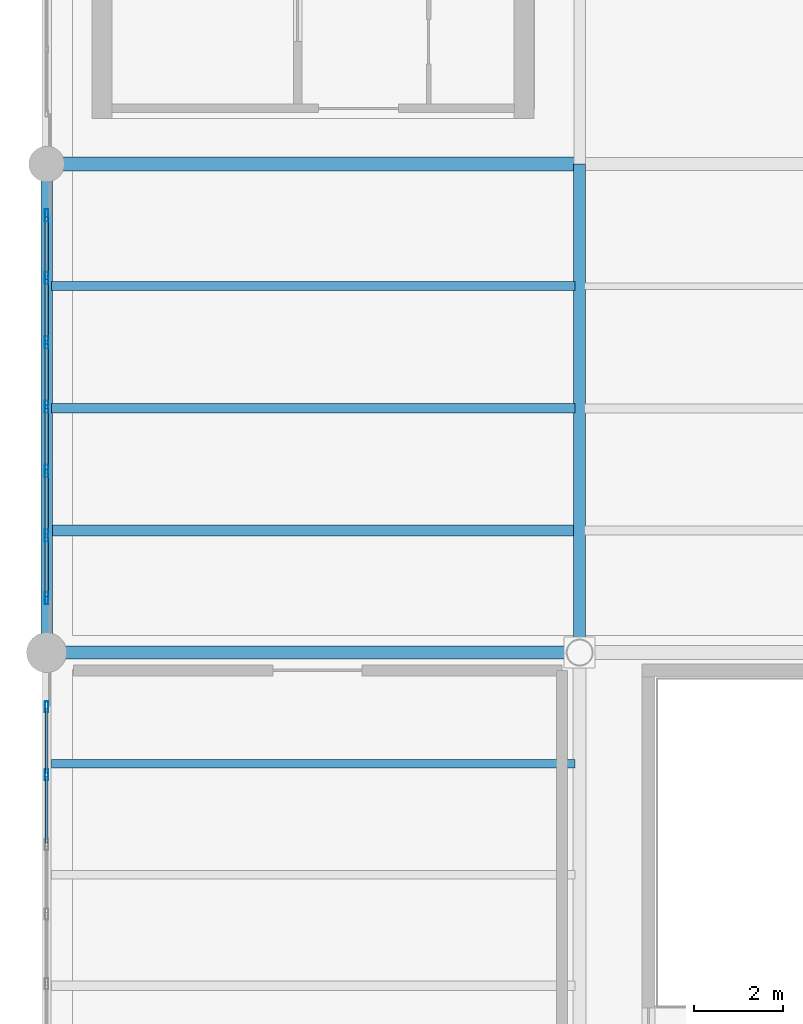
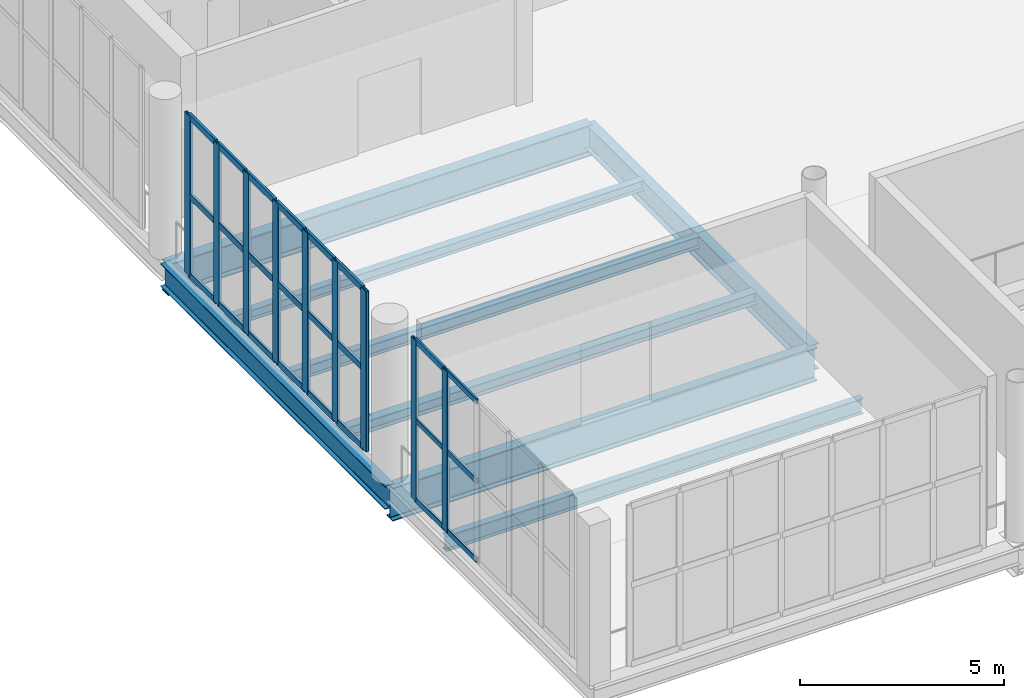
# One storey, part 10 of 49: 33 members, 8 beams, 2 elements without a shape of their own.
"""IFC4 building model written with IfcOpenShell, lengths in metres."""

import ifcopenshell
import ifcopenshell.guid

model = None  # the IFC model being written
_history = None  # IfcOwnerHistory: only IFC2X3 demands one
_inside = {}  # id of a spatial element -> (the spatial element, [elements in it])
_under = {}  # id of a project, library or spatial element -> (it, [spatial elements below it])
_declared = {}  # id of a project -> (the project, [libraries it declares])
_typed = {}  # id of a type object -> (the type object, [elements of that type])
_made_of = {}  # id of a material, layer set ... -> (it, [elements and type objects made of it])


def new_model(schema):
    """Start an empty IFC model of exactly this schema.

    Asked for "IFC4X3", IfcOpenShell would pick the latest addendum, in which some entities
    have other attributes; the version numbers below select the first issue.
    IFC2X3 requires an IfcOwnerHistory on every rooted entity: one is made here for all.
    """
    global model, _history
    if schema == "IFC4X3":
        model = ifcopenshell.file(schema_version=(4, 3, 0, 0))
    else:
        model = ifcopenshell.file(schema=schema)
    _inside.clear()
    _under.clear()
    _declared.clear()
    _typed.clear()
    _made_of.clear()
    _history = None
    if model.schema == "IFC2X3":
        org = make("IfcOrganization", Name="unknown")
        user = make(
            "IfcPersonAndOrganization",
            ThePerson=make("IfcPerson", FamilyName="unknown"),
            TheOrganization=org,
        )
        app = make(
            "IfcApplication",
            ApplicationDeveloper=org,
            Version="unknown",
            ApplicationFullName="unknown",
            ApplicationIdentifier="unknown",
        )
        _history = make(
            "IfcOwnerHistory",
            OwningUser=user,
            OwningApplication=app,
            ChangeAction="ADDED",
            CreationDate=0,
        )
    return model


def make(cls, **values):
    """One entity of the class cls with the attributes given. An attribute that is None is left unset."""
    return model.create_entity(
        cls, **{name: value for name, value in values.items() if value is not None}
    )


def rooted(cls, **values):
    """An entity with a GlobalId (a new one), such as an element, a storey or a relation."""
    return make(cls, GlobalId=ifcopenshell.guid.new(), OwnerHistory=_history, **values)


def si_unit(unit_type, name, prefix=None):
    """IfcSIUnit, for example si_unit("LENGTHUNIT", "METRE", prefix="MILLI")."""
    return make("IfcSIUnit", UnitType=unit_type, Prefix=prefix, Name=name)


def assignment(units):
    """IfcUnitAssignment: the units of a project."""
    return None if units is None else make("IfcUnitAssignment", Units=units)


def point(xyz):
    """IfcCartesianPoint."""
    return None if xyz is None else make("IfcCartesianPoint", Coordinates=xyz)


def direction(xyz):
    """IfcDirection."""
    return None if xyz is None else make("IfcDirection", DirectionRatios=xyz)


def frame(location, z_axis=None, x_axis=None):
    """IfcAxis2Placement3D, a coordinate frame: its origin and axes. An axis left out is left unset."""
    return make(
        "IfcAxis2Placement3D",
        Location=point(location),
        Axis=direction(z_axis),
        RefDirection=direction(x_axis),
    )


def frame_2d(location, x_axis=None):
    """IfcAxis2Placement2D, a coordinate frame in the plane: its origin and x axis."""
    return make(
        "IfcAxis2Placement2D", Location=point(location), RefDirection=direction(x_axis)
    )


def origin():
    """The frame at (0, 0, 0) with its axes left unset."""
    return frame((0.0, 0.0, 0.0))


def origin_2d():
    """The frame at (0, 0) in the plane with its x axis left unset."""
    return frame_2d((0.0, 0.0))


def place(relative_to, where):
    """IfcLocalPlacement: puts the frame where relative to a parent placement (None: the world)."""
    return make(
        "IfcLocalPlacement", PlacementRelTo=relative_to, RelativePlacement=where
    )


def context(
    kind, dimensions, precision=None, world=None, true_north=None, identifier=None
):
    """IfcGeometricRepresentationContext, for example the 3D "Model" context."""
    return make(
        "IfcGeometricRepresentationContext",
        ContextIdentifier=identifier,
        ContextType=kind,
        CoordinateSpaceDimension=dimensions,
        Precision=precision,
        WorldCoordinateSystem=world,
        TrueNorth=true_north,
    )


def subcontext(parent, identifier, kind, view, scale=None):
    """IfcGeometricRepresentationSubContext, for example "Body" below "Model"."""
    return make(
        "IfcGeometricRepresentationSubContext",
        ContextIdentifier=identifier,
        ContextType=kind,
        ParentContext=parent,
        TargetScale=scale,
        TargetView=view,
    )


def project(units=None, contexts=None):
    """IfcProject with its units and contexts."""
    return rooted(
        "IfcProject",
        Name="project",
        RepresentationContexts=contexts,
        UnitsInContext=assignment(units),
    )


def spatial(cls, under=None, at=None, **own):
    """A site, building, storey or space (cls), placed at a placement, below another one or the project."""
    s = rooted(cls, ObjectPlacement=at, **own)
    if under is not None:
        _under.setdefault(under.id(), (under, []))[1].append(s)
    return s


def profile(cls, at=None, kind="AREA", **sizes):
    """A parametric profile (cls). Its sizes go by their IFC names, for example OverallWidth=200.0."""
    return make(cls, ProfileType=kind, Position=at, **sizes)


def hollow_rectangle(**sizes):
    """IfcRectangleHollowProfileDef."""
    return profile("IfcRectangleHollowProfileDef", **sizes)


def i_section(**sizes):
    """IfcIShapeProfileDef."""
    return profile("IfcIShapeProfileDef", **sizes)


def extrude(swept, where, along, depth):
    """IfcExtrudedAreaSolid: the profile swept, set in the frame where, extruded along a direction by depth."""
    return make(
        "IfcExtrudedAreaSolid",
        SweptArea=swept,
        Position=where,
        ExtrudedDirection=direction(along),
        Depth=depth,
    )


def shape(context_of_items, identifier, shape_type, items):
    """IfcShapeRepresentation: the items that make up one representation, for example the "Body"."""
    return make(
        "IfcShapeRepresentation",
        ContextOfItems=context_of_items,
        RepresentationIdentifier=identifier,
        RepresentationType=shape_type,
        Items=items,
    )


def material(Name=None, Category=None):
    """IfcMaterial."""
    return make("IfcMaterial", Name=Name, Category=Category)


def layer(
    of_material, thickness, ventilated=None, Name=None, Category=None, Priority=None
):
    """IfcMaterialLayer: one layer of a wall or slab, of a material (None: an air gap)."""
    return make(
        "IfcMaterialLayer",
        Material=of_material,
        LayerThickness=thickness,
        IsVentilated=ventilated,
        Name=Name,
        Category=Category,
        Priority=Priority,
    )


def layer_set(layers, Name=None):
    """IfcMaterialLayerSet."""
    return make("IfcMaterialLayerSet", MaterialLayers=layers, LayerSetName=Name)


def material_profile(
    of_material, cross_section, Name=None, Category=None, Priority=None
):
    """IfcMaterialProfile: a cross section and its material."""
    return make(
        "IfcMaterialProfile",
        Name=Name,
        Material=of_material,
        Profile=cross_section,
        Priority=Priority,
        Category=Category,
    )


def profile_set(profiles, Name=None, composite=None):
    """IfcMaterialProfileSet."""
    return make(
        "IfcMaterialProfileSet",
        Name=Name,
        MaterialProfiles=profiles,
        CompositeProfile=composite,
    )


def made_of(thing, what):
    """Note that an element or type object is made of a material, layer set ...; save() writes the relation."""
    if what is not None:
        _made_of.setdefault(what.id(), (what, []))[1].append(thing)
    return thing


def type_object(cls, material=None, **own):
    """A type object (cls), such as IfcWallType, which elements share."""
    return made_of(rooted(cls, **own), material)


def element(
    cls,
    number,
    at=None,
    inside=None,
    cuts=None,
    type_object=None,
    material=None,
    context=None,
    identifier="Body",
    shape_type=None,
    held_by="IfcProductDefinitionShape",
    body=None,
    shapes=None,
    **own,
):
    """One element of the class cls, such as IfcWall. Its Tag is "e" and its number.

    at: its placement. inside: the storey or other place that contains it. cuts: it is an
    opening in that element (IfcRelVoidsElement). A single representation is given by context,
    identifier, shape_type and body (its items); several are given by shapes. held_by: the class
    of the entity that holds the representations. save() writes the other relations.
    """
    e = rooted(cls, Tag="e%d" % number, ObjectPlacement=at, **own)
    if body is not None:
        shapes = [shape(context, identifier, shape_type, body)]
    if shapes is not None:
        e.Representation = make(held_by, Representations=shapes)
    if inside is not None:
        _inside.setdefault(inside.id(), (inside, []))[1].append(e)
    if cuts is not None:
        rooted(
            "IfcRelVoidsElement", RelatingBuildingElement=cuts, RelatedOpeningElement=e
        )
    if type_object is not None:
        _typed.setdefault(type_object.id(), (type_object, []))[1].append(e)
    return made_of(e, material)


def aggregate(whole, parts):
    """IfcRelAggregates: a whole, such as a stair, and the parts it consists of."""
    return rooted("IfcRelAggregates", RelatingObject=whole, RelatedObjects=parts)


def save(model, path):
    """Write the relations noted so far, then the file.

    IfcRelAggregates (storeys below a building ...), IfcRelContainedInSpatialStructure (elements
    in a storey), IfcRelDefinesByType, IfcRelAssociatesMaterial and IfcRelDeclares: one each for
    every whole, place, type object, material and project.
    """
    for whole, parts in _under.values():
        aggregate(whole, parts)
    for where, things in _inside.values():
        rooted(
            "IfcRelContainedInSpatialStructure",
            RelatedElements=things,
            RelatingStructure=where,
        )
    for kind, things in _typed.values():
        rooted("IfcRelDefinesByType", RelatedObjects=things, RelatingType=kind)
    for what, things in _made_of.values():
        rooted("IfcRelAssociatesMaterial", RelatedObjects=things, RelatingMaterial=what)
    for by, libraries in _declared.values():
        rooted("IfcRelDeclares", RelatingContext=by, RelatedDefinitions=libraries)
    model.write(path)


model = new_model("IFC4")

# Units and contexts
model_context = context("Model", 3, precision=1e-05, world=origin(), true_north=direction((0.0, 1.0)))
body_context = subcontext(model_context, "Body", "Model", "MODEL_VIEW")
ifc_project = project(units=[si_unit("LENGTHUNIT", "METRE"), si_unit("AREAUNIT", "SQUARE_METRE"), si_unit("VOLUMEUNIT", "CUBIC_METRE"), si_unit("PLANEANGLEUNIT", "RADIAN"), si_unit("MASSUNIT", "GRAM", prefix="KILO")], contexts=[model_context])

# Site, building, storey
site_placement = place(None, origin())
site = spatial("IfcSite", under=ifc_project, at=site_placement, CompositionType="ELEMENT")
building_placement = place(site_placement, origin())
building = spatial("IfcBuilding", under=site, at=building_placement, Name="Brinegate Civic Arena", CompositionType="ELEMENT")
storey_placement = place(building_placement, frame((0.0, 0.0, 24.60009765625)))
storey = spatial("IfcBuildingStorey", under=building, at=storey_placement, Name="L05", CompositionType="ELEMENT", Elevation=24.60009765625)

# Curtain wall, members
ifc_material_1 = material(Name="Marine grade aluminium", Category="aluminium")
ifc_layer = layer(ifc_material_1, 0.199951171875, Name="Marine grade aluminium")
ifc_layer_set = layer_set([ifc_layer], Name="Marine grade aluminium")
curtain_wall_type = type_object("IfcCurtainWallType", Name="CW-BOWL-GLAZED-01", PredefinedType="USERDEFINED", material=ifc_layer_set)
curtain_wall_1_placement = place(storey_placement, origin())
curtain_wall_1 = element("IfcCurtainWall", 1, at=curtain_wall_1_placement, inside=storey, type_object=curtain_wall_type, Name="Curtain Wall CWA-154", ObjectType="GLAZED CURTAIN WALL", PredefinedType="USERDEFINED")
ifc_material_profile_1 = material_profile(ifc_material_1, hollow_rectangle(XDim=0.074951171875, YDim=0.25, WallThickness=0.006103515625, InnerFilletRadius=0.00390625, OuterFilletRadius=0.008056640625, at=origin_2d()), Name="MUL75X250")
ifc_profile_set_1 = profile_set([ifc_material_profile_1], Name="Marine grade aluminium")
member_type_1 = type_object("IfcMemberType", Name="CW-MULLION-75X250", PredefinedType="MULLION", material=ifc_profile_set_1)
member_1_placement = place(storey_placement, frame((48.0, 17.24609375, 0.0), z_axis=(0.0, 0.0, 1.0), x_axis=(-1.0, 0.0, 0.0)))
member_1 = element("IfcMember", 2, at=member_1_placement, type_object=member_type_1, Name="CWA-154 mullion 5", PredefinedType="MULLION", context=body_context, shape_type="SweptSolid", body=[
    extrude(hollow_rectangle(XDim=0.074951171875, YDim=0.25, WallThickness=0.006103515625, InnerFilletRadius=0.00390625, OuterFilletRadius=0.008056640625, at=origin_2d()), origin(), (0.0, 0.0, 1.0), 4.7998046875),
])
member_2_placement = place(storey_placement, frame((48.0, 18.776611328125, 0.0), z_axis=(0.0, 0.0, 1.0), x_axis=(-1.0, 0.0, 0.0)))
member_2 = element("IfcMember", 3, at=member_2_placement, type_object=member_type_1, Name="CWA-154 mullion 6", PredefinedType="MULLION", context=body_context, shape_type="SweptSolid", body=[
    extrude(hollow_rectangle(XDim=0.074951171875, YDim=0.25, WallThickness=0.006103515625, InnerFilletRadius=0.00390625, OuterFilletRadius=0.008056640625, at=origin_2d()), origin(), (0.0, 0.0, 1.0), 4.7998046875),
])

curtain_wall_2_placement = place(storey_placement, origin())
curtain_wall_2 = element("IfcCurtainWall", 4, at=curtain_wall_2_placement, inside=storey, type_object=curtain_wall_type, Name="Curtain Wall CWA-155", ObjectType="GLAZED CURTAIN WALL", PredefinedType="USERDEFINED")
ifc_material_profile_2 = material_profile(ifc_material_1, hollow_rectangle(XDim=0.080078125, YDim=0.280029296875, WallThickness=0.007080078125, InnerFilletRadius=0.0048828125, OuterFilletRadius=0.010009765625, at=origin_2d()), Name="MUL80X280")
ifc_profile_set_2 = profile_set([ifc_material_profile_2], Name="Marine grade aluminium")
member_type_2 = type_object("IfcMemberType", Name="CW-MULLION-80X280", PredefinedType="MULLION", material=ifc_profile_set_2)
member_3_placement = place(storey_placement, frame((48.0, 21.22607421875, 0.0), z_axis=(0.0, 0.0, 1.0), x_axis=(-1.0, 0.0, 0.0)))
member_3 = element("IfcMember", 5, at=member_3_placement, type_object=member_type_2, Name="CWA-155 mullion 1", PredefinedType="MULLION", context=body_context, shape_type="SweptSolid", body=[
    extrude(hollow_rectangle(XDim=0.080078125, YDim=0.280029296875, WallThickness=0.007080078125, InnerFilletRadius=0.0048828125, OuterFilletRadius=0.010009765625, at=origin_2d()), origin(), (0.0, 0.0, 1.0), 4.7998046875),
])
member_4_placement = place(storey_placement, frame((48.0, 22.6357421875, 0.0), z_axis=(0.0, 0.0, 1.0), x_axis=(-1.0, 0.0, 0.0)))
member_4 = element("IfcMember", 6, at=member_4_placement, type_object=member_type_2, Name="CWA-155 mullion 2", PredefinedType="MULLION", context=body_context, shape_type="SweptSolid", body=[
    extrude(hollow_rectangle(XDim=0.080078125, YDim=0.280029296875, WallThickness=0.007080078125, InnerFilletRadius=0.0048828125, OuterFilletRadius=0.010009765625, at=origin_2d()), origin(), (0.0, 0.0, 1.0), 4.7998046875),
])
member_5_placement = place(storey_placement, frame((48.0, 24.08544921875, 0.0), z_axis=(0.0, 0.0, 1.0), x_axis=(-1.0, 0.0, 0.0)))
member_5 = element("IfcMember", 7, at=member_5_placement, type_object=member_type_2, Name="CWA-155 mullion 3", PredefinedType="MULLION", context=body_context, shape_type="SweptSolid", body=[
    extrude(hollow_rectangle(XDim=0.080078125, YDim=0.280029296875, WallThickness=0.007080078125, InnerFilletRadius=0.0048828125, OuterFilletRadius=0.010009765625, at=origin_2d()), origin(), (0.0, 0.0, 1.0), 4.7998046875),
])
member_6_placement = place(storey_placement, frame((48.0, 25.534912109375, 0.0), z_axis=(0.0, 0.0, 1.0), x_axis=(-1.0, 0.0, 0.0)))
member_6 = element("IfcMember", 8, at=member_6_placement, type_object=member_type_2, Name="CWA-155 mullion 4", PredefinedType="MULLION", context=body_context, shape_type="SweptSolid", body=[
    extrude(hollow_rectangle(XDim=0.080078125, YDim=0.280029296875, WallThickness=0.007080078125, InnerFilletRadius=0.0048828125, OuterFilletRadius=0.010009765625, at=origin_2d()), origin(), (0.0, 0.0, 1.0), 4.7998046875),
])
member_7_placement = place(storey_placement, frame((48.0, 26.984619140625, 0.0), z_axis=(0.0, 0.0, 1.0), x_axis=(-1.0, 0.0, 0.0)))
member_7 = element("IfcMember", 9, at=member_7_placement, type_object=member_type_2, Name="CWA-155 mullion 5", PredefinedType="MULLION", context=body_context, shape_type="SweptSolid", body=[
    extrude(hollow_rectangle(XDim=0.080078125, YDim=0.280029296875, WallThickness=0.007080078125, InnerFilletRadius=0.0048828125, OuterFilletRadius=0.010009765625, at=origin_2d()), origin(), (0.0, 0.0, 1.0), 4.7998046875),
])
member_8_placement = place(storey_placement, frame((48.0, 28.434326171875, 0.0), z_axis=(0.0, 0.0, 1.0), x_axis=(-1.0, 0.0, 0.0)))
member_8 = element("IfcMember", 10, at=member_8_placement, type_object=member_type_2, Name="CWA-155 mullion 6", PredefinedType="MULLION", context=body_context, shape_type="SweptSolid", body=[
    extrude(hollow_rectangle(XDim=0.080078125, YDim=0.280029296875, WallThickness=0.007080078125, InnerFilletRadius=0.0048828125, OuterFilletRadius=0.010009765625, at=origin_2d()), origin(), (0.0, 0.0, 1.0), 4.7998046875),
])
member_9_placement = place(storey_placement, frame((48.0, 29.843994140625, 0.0), z_axis=(0.0, 0.0, 1.0), x_axis=(-1.0, 0.0, 0.0)))
member_9 = element("IfcMember", 11, at=member_9_placement, type_object=member_type_2, Name="CWA-155 mullion 7", PredefinedType="MULLION", context=body_context, shape_type="SweptSolid", body=[
    extrude(hollow_rectangle(XDim=0.080078125, YDim=0.280029296875, WallThickness=0.007080078125, InnerFilletRadius=0.0048828125, OuterFilletRadius=0.010009765625, at=origin_2d()), origin(), (0.0, 0.0, 1.0), 4.7998046875),
])

# Member
ifc_material_profile_3 = material_profile(ifc_material_1, hollow_rectangle(XDim=0.06494140625, YDim=0.1650390625, WallThickness=0.0048828125, InnerFilletRadius=0.00390625, OuterFilletRadius=0.008056640625, at=origin_2d()), Name="TRN65X165")
ifc_profile_set_3 = profile_set([ifc_material_profile_3], Name="Marine grade aluminium")
member_type_3 = type_object("IfcMemberType", Name="CW-TRANSOM-65X165", PredefinedType="USERDEFINED", material=ifc_profile_set_3)
member_10_placement = place(storey_placement, frame((48.0, 15.715576171875, 0.032470703125), z_axis=(0.0, 1.0, 0.0), x_axis=(-1.0, 0.0, 0.0)))
member_10 = element("IfcMember", 12, at=member_10_placement, type_object=member_type_3, Name="CWA-154 transom 4.1", ObjectType="TRANSOM", PredefinedType="USERDEFINED", context=body_context, shape_type="SweptSolid", body=[
    extrude(hollow_rectangle(XDim=0.06494140625, YDim=0.1650390625, WallThickness=0.0048828125, InnerFilletRadius=0.00390625, OuterFilletRadius=0.008056640625, at=origin_2d()), origin(), (0.0, 0.0, 1.0), 1.492919921875),
])

member_11_placement = place(storey_placement, frame((48.0, 15.715576171875, 2.39990234375), z_axis=(0.0, 1.0, 0.0), x_axis=(-1.0, 0.0, 0.0)))
member_11 = element("IfcMember", 13, at=member_11_placement, type_object=member_type_3, Name="CWA-154 transom 4.2", ObjectType="TRANSOM", PredefinedType="USERDEFINED", context=body_context, shape_type="SweptSolid", body=[
    extrude(hollow_rectangle(XDim=0.06494140625, YDim=0.1650390625, WallThickness=0.0048828125, InnerFilletRadius=0.00390625, OuterFilletRadius=0.008056640625, at=origin_2d()), origin(), (0.0, 0.0, 1.0), 1.492919921875),
])

member_12_placement = place(storey_placement, frame((48.0, 15.715576171875, 4.767333984375), z_axis=(0.0, 1.0, 0.0), x_axis=(-1.0, 0.0, 0.0)))
member_12 = element("IfcMember", 14, at=member_12_placement, type_object=member_type_3, Name="CWA-154 transom 4.3", ObjectType="TRANSOM", PredefinedType="USERDEFINED", context=body_context, shape_type="SweptSolid", body=[
    extrude(hollow_rectangle(XDim=0.06494140625, YDim=0.1650390625, WallThickness=0.0048828125, InnerFilletRadius=0.00390625, OuterFilletRadius=0.008056640625, at=origin_2d()), origin(), (0.0, 0.0, 1.0), 1.492919921875),
])

member_13_placement = place(storey_placement, frame((48.0, 17.283447265625, 0.032470703125), z_axis=(0.0, 1.0, 0.0), x_axis=(-1.0, 0.0, 0.0)))
member_13 = element("IfcMember", 15, at=member_13_placement, type_object=member_type_3, Name="CWA-154 transom 5.1", ObjectType="TRANSOM", PredefinedType="USERDEFINED", context=body_context, shape_type="SweptSolid", body=[
    extrude(hollow_rectangle(XDim=0.06494140625, YDim=0.1650390625, WallThickness=0.0048828125, InnerFilletRadius=0.00390625, OuterFilletRadius=0.008056640625, at=origin_2d()), origin(), (0.0, 0.0, 1.0), 1.45556640625),
])

member_14_placement = place(storey_placement, frame((48.0, 17.283447265625, 2.39990234375), z_axis=(0.0, 1.0, 0.0), x_axis=(-1.0, 0.0, 0.0)))
member_14 = element("IfcMember", 16, at=member_14_placement, type_object=member_type_3, Name="CWA-154 transom 5.2", ObjectType="TRANSOM", PredefinedType="USERDEFINED", context=body_context, shape_type="SweptSolid", body=[
    extrude(hollow_rectangle(XDim=0.06494140625, YDim=0.1650390625, WallThickness=0.0048828125, InnerFilletRadius=0.00390625, OuterFilletRadius=0.008056640625, at=origin_2d()), origin(), (0.0, 0.0, 1.0), 1.45556640625),
])

member_15_placement = place(storey_placement, frame((48.0, 17.283447265625, 4.767333984375), z_axis=(0.0, 1.0, 0.0), x_axis=(-1.0, 0.0, 0.0)))
member_15 = element("IfcMember", 17, at=member_15_placement, type_object=member_type_3, Name="CWA-154 transom 5.3", ObjectType="TRANSOM", PredefinedType="USERDEFINED", context=body_context, shape_type="SweptSolid", body=[
    extrude(hollow_rectangle(XDim=0.06494140625, YDim=0.1650390625, WallThickness=0.0048828125, InnerFilletRadius=0.00390625, OuterFilletRadius=0.008056640625, at=origin_2d()), origin(), (0.0, 0.0, 1.0), 1.45556640625),
])

aggregate(curtain_wall_1, [member_1, member_2, member_10, member_11, member_12, member_13, member_14, member_15])

ifc_material_profile_4 = material_profile(ifc_material_1, hollow_rectangle(XDim=0.074951171875, YDim=0.18994140625, WallThickness=0.006103515625, InnerFilletRadius=0.00390625, OuterFilletRadius=0.008056640625, at=origin_2d()), Name="TRN75X190")
ifc_profile_set_4 = profile_set([ifc_material_profile_4], Name="Marine grade aluminium")
member_type_4 = type_object("IfcMemberType", Name="CW-TRANSOM-75X190", PredefinedType="USERDEFINED", material=ifc_profile_set_4)
member_16_placement = place(storey_placement, frame((48.0, 21.26611328125, 0.037353515625), z_axis=(0.0, 1.0, 0.0), x_axis=(-1.0, 0.0, 0.0)))
member_16 = element("IfcMember", 18, at=member_16_placement, type_object=member_type_4, Name="CWA-155 transom 1.1", ObjectType="TRANSOM", PredefinedType="USERDEFINED", context=body_context, shape_type="SweptSolid", body=[
    extrude(hollow_rectangle(XDim=0.074951171875, YDim=0.18994140625, WallThickness=0.006103515625, InnerFilletRadius=0.00390625, OuterFilletRadius=0.008056640625, at=origin_2d()), origin(), (0.0, 0.0, 1.0), 1.32958984375),
])

member_17_placement = place(storey_placement, frame((48.0, 21.26611328125, 2.39990234375), z_axis=(0.0, 1.0, 0.0), x_axis=(-1.0, 0.0, 0.0)))
member_17 = element("IfcMember", 19, at=member_17_placement, type_object=member_type_4, Name="CWA-155 transom 1.2", ObjectType="TRANSOM", PredefinedType="USERDEFINED", context=body_context, shape_type="SweptSolid", body=[
    extrude(hollow_rectangle(XDim=0.074951171875, YDim=0.18994140625, WallThickness=0.006103515625, InnerFilletRadius=0.00390625, OuterFilletRadius=0.008056640625, at=origin_2d()), origin(), (0.0, 0.0, 1.0), 1.32958984375),
])

member_18_placement = place(storey_placement, frame((48.0, 21.26611328125, 4.762451171875), z_axis=(0.0, 1.0, 0.0), x_axis=(-1.0, 0.0, 0.0)))
member_18 = element("IfcMember", 20, at=member_18_placement, type_object=member_type_4, Name="CWA-155 transom 1.3", ObjectType="TRANSOM", PredefinedType="USERDEFINED", context=body_context, shape_type="SweptSolid", body=[
    extrude(hollow_rectangle(XDim=0.074951171875, YDim=0.18994140625, WallThickness=0.006103515625, InnerFilletRadius=0.00390625, OuterFilletRadius=0.008056640625, at=origin_2d()), origin(), (0.0, 0.0, 1.0), 1.32958984375),
])

member_19_placement = place(storey_placement, frame((48.0, 22.67578125, 0.037353515625), z_axis=(0.0, 1.0, 0.0), x_axis=(-1.0, 0.0, 0.0)))
member_19 = element("IfcMember", 21, at=member_19_placement, type_object=member_type_4, Name="CWA-155 transom 2.1", ObjectType="TRANSOM", PredefinedType="USERDEFINED", context=body_context, shape_type="SweptSolid", body=[
    extrude(hollow_rectangle(XDim=0.074951171875, YDim=0.18994140625, WallThickness=0.006103515625, InnerFilletRadius=0.00390625, OuterFilletRadius=0.008056640625, at=origin_2d()), origin(), (0.0, 0.0, 1.0), 1.36962890625),
])

member_20_placement = place(storey_placement, frame((48.0, 22.67578125, 2.39990234375), z_axis=(0.0, 1.0, 0.0), x_axis=(-1.0, 0.0, 0.0)))
member_20 = element("IfcMember", 22, at=member_20_placement, type_object=member_type_4, Name="CWA-155 transom 2.2", ObjectType="TRANSOM", PredefinedType="USERDEFINED", context=body_context, shape_type="SweptSolid", body=[
    extrude(hollow_rectangle(XDim=0.074951171875, YDim=0.18994140625, WallThickness=0.006103515625, InnerFilletRadius=0.00390625, OuterFilletRadius=0.008056640625, at=origin_2d()), origin(), (0.0, 0.0, 1.0), 1.36962890625),
])

member_21_placement = place(storey_placement, frame((48.0, 22.67578125, 4.762451171875), z_axis=(0.0, 1.0, 0.0), x_axis=(-1.0, 0.0, 0.0)))
member_21 = element("IfcMember", 23, at=member_21_placement, type_object=member_type_4, Name="CWA-155 transom 2.3", ObjectType="TRANSOM", PredefinedType="USERDEFINED", context=body_context, shape_type="SweptSolid", body=[
    extrude(hollow_rectangle(XDim=0.074951171875, YDim=0.18994140625, WallThickness=0.006103515625, InnerFilletRadius=0.00390625, OuterFilletRadius=0.008056640625, at=origin_2d()), origin(), (0.0, 0.0, 1.0), 1.36962890625),
])

member_22_placement = place(storey_placement, frame((48.0, 24.125244140625, 0.037353515625), z_axis=(0.0, 1.0, 0.0), x_axis=(-1.0, 0.0, 0.0)))
member_22 = element("IfcMember", 24, at=member_22_placement, type_object=member_type_4, Name="CWA-155 transom 3.1", ObjectType="TRANSOM", PredefinedType="USERDEFINED", context=body_context, shape_type="SweptSolid", body=[
    extrude(hollow_rectangle(XDim=0.074951171875, YDim=0.18994140625, WallThickness=0.006103515625, InnerFilletRadius=0.00390625, OuterFilletRadius=0.008056640625, at=origin_2d()), origin(), (0.0, 0.0, 1.0), 1.369873046875),
])

member_23_placement = place(storey_placement, frame((48.0, 24.125244140625, 2.39990234375), z_axis=(0.0, 1.0, 0.0), x_axis=(-1.0, 0.0, 0.0)))
member_23 = element("IfcMember", 25, at=member_23_placement, type_object=member_type_4, Name="CWA-155 transom 3.2", ObjectType="TRANSOM", PredefinedType="USERDEFINED", context=body_context, shape_type="SweptSolid", body=[
    extrude(hollow_rectangle(XDim=0.074951171875, YDim=0.18994140625, WallThickness=0.006103515625, InnerFilletRadius=0.00390625, OuterFilletRadius=0.008056640625, at=origin_2d()), origin(), (0.0, 0.0, 1.0), 1.369873046875),
])

member_24_placement = place(storey_placement, frame((48.0, 24.125244140625, 4.762451171875), z_axis=(0.0, 1.0, 0.0), x_axis=(-1.0, 0.0, 0.0)))
member_24 = element("IfcMember", 26, at=member_24_placement, type_object=member_type_4, Name="CWA-155 transom 3.3", ObjectType="TRANSOM", PredefinedType="USERDEFINED", context=body_context, shape_type="SweptSolid", body=[
    extrude(hollow_rectangle(XDim=0.074951171875, YDim=0.18994140625, WallThickness=0.006103515625, InnerFilletRadius=0.00390625, OuterFilletRadius=0.008056640625, at=origin_2d()), origin(), (0.0, 0.0, 1.0), 1.369873046875),
])

member_25_placement = place(storey_placement, frame((48.0, 25.574951171875, 0.037353515625), z_axis=(0.0, 1.0, 0.0), x_axis=(-1.0, 0.0, 0.0)))
member_25 = element("IfcMember", 27, at=member_25_placement, type_object=member_type_4, Name="CWA-155 transom 4.1", ObjectType="TRANSOM", PredefinedType="USERDEFINED", context=body_context, shape_type="SweptSolid", body=[
    extrude(hollow_rectangle(XDim=0.074951171875, YDim=0.18994140625, WallThickness=0.006103515625, InnerFilletRadius=0.00390625, OuterFilletRadius=0.008056640625, at=origin_2d()), origin(), (0.0, 0.0, 1.0), 1.36962890625),
])

member_26_placement = place(storey_placement, frame((48.0, 25.574951171875, 2.39990234375), z_axis=(0.0, 1.0, 0.0), x_axis=(-1.0, 0.0, 0.0)))
member_26 = element("IfcMember", 28, at=member_26_placement, type_object=member_type_4, Name="CWA-155 transom 4.2", ObjectType="TRANSOM", PredefinedType="USERDEFINED", context=body_context, shape_type="SweptSolid", body=[
    extrude(hollow_rectangle(XDim=0.074951171875, YDim=0.18994140625, WallThickness=0.006103515625, InnerFilletRadius=0.00390625, OuterFilletRadius=0.008056640625, at=origin_2d()), origin(), (0.0, 0.0, 1.0), 1.36962890625),
])

member_27_placement = place(storey_placement, frame((48.0, 25.574951171875, 4.762451171875), z_axis=(0.0, 1.0, 0.0), x_axis=(-1.0, 0.0, 0.0)))
member_27 = element("IfcMember", 29, at=member_27_placement, type_object=member_type_4, Name="CWA-155 transom 4.3", ObjectType="TRANSOM", PredefinedType="USERDEFINED", context=body_context, shape_type="SweptSolid", body=[
    extrude(hollow_rectangle(XDim=0.074951171875, YDim=0.18994140625, WallThickness=0.006103515625, InnerFilletRadius=0.00390625, OuterFilletRadius=0.008056640625, at=origin_2d()), origin(), (0.0, 0.0, 1.0), 1.36962890625),
])

member_28_placement = place(storey_placement, frame((48.0, 27.024658203125, 0.037353515625), z_axis=(0.0, 1.0, 0.0), x_axis=(-1.0, 0.0, 0.0)))
member_28 = element("IfcMember", 30, at=member_28_placement, type_object=member_type_4, Name="CWA-155 transom 5.1", ObjectType="TRANSOM", PredefinedType="USERDEFINED", context=body_context, shape_type="SweptSolid", body=[
    extrude(hollow_rectangle(XDim=0.074951171875, YDim=0.18994140625, WallThickness=0.006103515625, InnerFilletRadius=0.00390625, OuterFilletRadius=0.008056640625, at=origin_2d()), origin(), (0.0, 0.0, 1.0), 1.36962890625),
])

member_29_placement = place(storey_placement, frame((48.0, 27.024658203125, 2.39990234375), z_axis=(0.0, 1.0, 0.0), x_axis=(-1.0, 0.0, 0.0)))
member_29 = element("IfcMember", 31, at=member_29_placement, type_object=member_type_4, Name="CWA-155 transom 5.2", ObjectType="TRANSOM", PredefinedType="USERDEFINED", context=body_context, shape_type="SweptSolid", body=[
    extrude(hollow_rectangle(XDim=0.074951171875, YDim=0.18994140625, WallThickness=0.006103515625, InnerFilletRadius=0.00390625, OuterFilletRadius=0.008056640625, at=origin_2d()), origin(), (0.0, 0.0, 1.0), 1.36962890625),
])

member_30_placement = place(storey_placement, frame((48.0, 27.024658203125, 4.762451171875), z_axis=(0.0, 1.0, 0.0), x_axis=(-1.0, 0.0, 0.0)))
member_30 = element("IfcMember", 32, at=member_30_placement, type_object=member_type_4, Name="CWA-155 transom 5.3", ObjectType="TRANSOM", PredefinedType="USERDEFINED", context=body_context, shape_type="SweptSolid", body=[
    extrude(hollow_rectangle(XDim=0.074951171875, YDim=0.18994140625, WallThickness=0.006103515625, InnerFilletRadius=0.00390625, OuterFilletRadius=0.008056640625, at=origin_2d()), origin(), (0.0, 0.0, 1.0), 1.36962890625),
])

member_31_placement = place(storey_placement, frame((48.0, 28.474365234375, 0.037353515625), z_axis=(0.0, 1.0, 0.0), x_axis=(-1.0, 0.0, 0.0)))
member_31 = element("IfcMember", 33, at=member_31_placement, type_object=member_type_4, Name="CWA-155 transom 6.1", ObjectType="TRANSOM", PredefinedType="USERDEFINED", context=body_context, shape_type="SweptSolid", body=[
    extrude(hollow_rectangle(XDim=0.074951171875, YDim=0.18994140625, WallThickness=0.006103515625, InnerFilletRadius=0.00390625, OuterFilletRadius=0.008056640625, at=origin_2d()), origin(), (0.0, 0.0, 1.0), 1.32958984375),
])

member_32_placement = place(storey_placement, frame((48.0, 28.474365234375, 2.39990234375), z_axis=(0.0, 1.0, 0.0), x_axis=(-1.0, 0.0, 0.0)))
member_32 = element("IfcMember", 34, at=member_32_placement, type_object=member_type_4, Name="CWA-155 transom 6.2", ObjectType="TRANSOM", PredefinedType="USERDEFINED", context=body_context, shape_type="SweptSolid", body=[
    extrude(hollow_rectangle(XDim=0.074951171875, YDim=0.18994140625, WallThickness=0.006103515625, InnerFilletRadius=0.00390625, OuterFilletRadius=0.008056640625, at=origin_2d()), origin(), (0.0, 0.0, 1.0), 1.32958984375),
])

member_33_placement = place(storey_placement, frame((48.0, 28.474365234375, 4.762451171875), z_axis=(0.0, 1.0, 0.0), x_axis=(-1.0, 0.0, 0.0)))
member_33 = element("IfcMember", 35, at=member_33_placement, type_object=member_type_4, Name="CWA-155 transom 6.3", ObjectType="TRANSOM", PredefinedType="USERDEFINED", context=body_context, shape_type="SweptSolid", body=[
    extrude(hollow_rectangle(XDim=0.074951171875, YDim=0.18994140625, WallThickness=0.006103515625, InnerFilletRadius=0.00390625, OuterFilletRadius=0.008056640625, at=origin_2d()), origin(), (0.0, 0.0, 1.0), 1.32958984375),
])

aggregate(curtain_wall_2, [member_3, member_4, member_5, member_6, member_7, member_8, member_9, member_16, member_17, member_18, member_19, member_20, member_21, member_22, member_23, member_24, member_25, member_26, member_27, member_28, member_29, member_30, member_31, member_32, member_33])

# Beams
ifc_material_2 = material(Name="Steel S355", Category="steel")
ifc_material_profile_5 = material_profile(ifc_material_2, i_section(OverallWidth=0.300048828125, OverallDepth=1.0, WebThickness=0.01904296875, FlangeThickness=0.031982421875, FilletRadius=0.02392578125, at=origin_2d()), Name="W1000X321")
ifc_profile_set_5 = profile_set([ifc_material_profile_5], Name="Steel S355")
beam_type_1 = type_object("IfcBeamType", Name="GIRDER-W1000X321", PredefinedType="BEAM", material=ifc_profile_set_5)
beam_1_placement = place(storey_placement, frame((48.0, 20.0, -0.830078125), z_axis=(1.0, 0.0, 0.0), x_axis=(0.0, 1.0, 0.0)))
element("IfcBeam", 36, at=beam_1_placement, inside=storey, type_object=beam_type_1, Name="Floor Girder BM-L05-GX-04-02", PredefinedType="BEAM", context=body_context, shape_type="SweptSolid", body=[
    extrude(i_section(OverallWidth=0.300048828125, OverallDepth=1.0, WebThickness=0.01904296875, FlangeThickness=0.031982421875, FilletRadius=0.02392578125, at=origin_2d()), origin(), (0.0, 0.0, 1.0), 12.0),
])
ifc_material_profile_6 = material_profile(ifc_material_2, i_section(OverallWidth=0.26806640625, OverallDepth=0.77001953125, WebThickness=0.01611328125, FlangeThickness=0.02490234375, FilletRadius=0.02001953125, at=origin_2d()), Name="W760X196")
ifc_profile_set_6 = profile_set([ifc_material_profile_6], Name="Steel S355")
beam_type_2 = type_object("IfcBeamType", Name="GIRDER-W760X196", PredefinedType="BEAM", material=ifc_profile_set_6)
beam_2_placement = place(storey_placement, frame((60.0, 20.0, -0.715087890625), z_axis=(0.0, 1.0, 0.0), x_axis=(-1.0, 0.0, 0.0)))
element("IfcBeam", 37, at=beam_2_placement, inside=storey, type_object=beam_type_2, Name="Floor Girder BM-L05-GY-05-02", PredefinedType="BEAM", context=body_context, shape_type="SweptSolid", body=[
    extrude(i_section(OverallWidth=0.26806640625, OverallDepth=0.77001953125, WebThickness=0.01611328125, FlangeThickness=0.02490234375, FilletRadius=0.02001953125, at=origin_2d()), origin(), (0.0, 0.0, 1.0), 11.0),
])
ifc_material_profile_7 = material_profile(ifc_material_2, i_section(OverallWidth=0.30810546875, OverallDepth=0.927001953125, WebThickness=0.01904296875, FlangeThickness=0.031982421875, FilletRadius=0.02392578125, at=origin_2d()), Name="W920X289")
ifc_profile_set_7 = profile_set([ifc_material_profile_7], Name="Steel S355")
beam_type_3 = type_object("IfcBeamType", Name="GIRDER-W920X289", PredefinedType="BEAM", material=ifc_profile_set_7)
beam_3_placement = place(storey_placement, frame((48.0, 31.0, -0.793212890625), z_axis=(1.0, 0.0, 0.0), x_axis=(0.0, 1.0, 0.0)))
element("IfcBeam", 38, at=beam_3_placement, inside=storey, type_object=beam_type_3, Name="Floor Girder BM-L05-GX-04-03", PredefinedType="BEAM", context=body_context, shape_type="SweptSolid", body=[
    extrude(i_section(OverallWidth=0.30810546875, OverallDepth=0.927001953125, WebThickness=0.01904296875, FlangeThickness=0.031982421875, FilletRadius=0.02392578125, at=origin_2d()), origin(), (0.0, 0.0, 1.0), 12.0),
])
ifc_material_profile_8 = material_profile(ifc_material_2, i_section(OverallWidth=0.205078125, OverallDepth=0.31005859375, WebThickness=0.009033203125, FlangeThickness=0.01611328125, FilletRadius=0.012939453125, at=origin_2d()), Name="W310X74")
ifc_profile_set_8 = profile_set([ifc_material_profile_8], Name="Steel S355")
beam_type_4 = type_object("IfcBeamType", Name="JOIST-W310X74", PredefinedType="JOIST", material=ifc_profile_set_8)
beam_4_placement = place(storey_placement, frame((48.10595703125, 28.25, -0.485107421875), z_axis=(1.0, 0.0, 0.0), x_axis=(0.0, 1.0, 0.0)))
element("IfcBeam", 39, at=beam_4_placement, inside=storey, type_object=beam_type_4, Name="Secondary Joist BM-L05-JX-04-02-3", PredefinedType="JOIST", context=body_context, shape_type="SweptSolid", body=[
    extrude(i_section(OverallWidth=0.205078125, OverallDepth=0.31005859375, WebThickness=0.009033203125, FlangeThickness=0.01611328125, FilletRadius=0.012939453125, at=origin_2d()), origin(), (0.0, 0.0, 1.0), 11.7880859375),
])
ifc_material_profile_9 = material_profile(ifc_material_2, i_section(OverallWidth=0.205078125, OverallDepth=0.35400390625, WebThickness=0.009033203125, FlangeThickness=0.01708984375, FilletRadius=0.013916015625, at=origin_2d()), Name="W360X79")
ifc_profile_set_9 = profile_set([ifc_material_profile_9], Name="Steel S355")
beam_type_5 = type_object("IfcBeamType", Name="JOIST-W360X79", PredefinedType="JOIST", material=ifc_profile_set_9)
beam_5_placement = place(storey_placement, frame((48.10595703125, 25.5, -0.507080078125), z_axis=(1.0, 0.0, 0.0), x_axis=(0.0, 1.0, 0.0)))
element("IfcBeam", 40, at=beam_5_placement, inside=storey, type_object=beam_type_5, Name="Secondary Joist BM-L05-JX-04-02-2", PredefinedType="JOIST", context=body_context, shape_type="SweptSolid", body=[
    extrude(i_section(OverallWidth=0.205078125, OverallDepth=0.35400390625, WebThickness=0.009033203125, FlangeThickness=0.01708984375, FilletRadius=0.013916015625, at=origin_2d()), origin(), (0.0, 0.0, 1.0), 11.7880859375),
])
ifc_material_profile_10 = material_profile(ifc_material_2, i_section(OverallWidth=0.25390625, OverallDepth=0.35302734375, WebThickness=0.010009765625, FlangeThickness=0.01611328125, FilletRadius=0.013916015625, at=origin_2d()), Name="W360X91")
ifc_profile_set_10 = profile_set([ifc_material_profile_10], Name="Steel S355")
beam_type_6 = type_object("IfcBeamType", Name="JOIST-W360X91", PredefinedType="JOIST", material=ifc_profile_set_10)
beam_6_placement = place(storey_placement, frame((48.10595703125, 22.75, -0.506103515625), z_axis=(1.0, 0.0, 0.0), x_axis=(0.0, 1.0, 0.0)))
element("IfcBeam", 41, at=beam_6_placement, inside=storey, type_object=beam_type_6, Name="Secondary Joist BM-L05-JX-04-02-1", PredefinedType="JOIST", context=body_context, shape_type="SweptSolid", body=[
    extrude(i_section(OverallWidth=0.25390625, OverallDepth=0.35302734375, WebThickness=0.010009765625, FlangeThickness=0.01611328125, FilletRadius=0.013916015625, at=origin_2d()), origin(), (0.0, 0.0, 1.0), 11.7880859375),
])
ifc_material_profile_11 = material_profile(ifc_material_2, i_section(OverallWidth=0.19091796875, OverallDepth=0.4599609375, WebThickness=0.010009765625, FlangeThickness=0.01611328125, FilletRadius=0.014892578125, at=origin_2d()), Name="W460X82")
ifc_profile_set_11 = profile_set([ifc_material_profile_11], Name="Steel S355")
beam_type_7 = type_object("IfcBeamType", Name="JOIST-W460X82", PredefinedType="JOIST", material=ifc_profile_set_11)
beam_7_placement = place(storey_placement, frame((48.10595703125, 17.5, -0.56005859375), z_axis=(1.0, 0.0, 0.0), x_axis=(0.0, 1.0, 0.0)))
element("IfcBeam", 42, at=beam_7_placement, inside=storey, type_object=beam_type_7, Name="Secondary Joist BM-L05-JX-04-01-3", PredefinedType="JOIST", context=body_context, shape_type="SweptSolid", body=[
    extrude(i_section(OverallWidth=0.19091796875, OverallDepth=0.4599609375, WebThickness=0.010009765625, FlangeThickness=0.01611328125, FilletRadius=0.014892578125, at=origin_2d()), origin(), (0.0, 0.0, 1.0), 11.7880859375),
])
ifc_material_profile_12 = material_profile(ifc_material_2, i_section(OverallWidth=0.256103515625, OverallDepth=0.693115234375, WebThickness=0.014892578125, FlangeThickness=0.02392578125, FilletRadius=0.01806640625, at=origin_2d()), Name="W690X170")
ifc_profile_set_12 = profile_set([ifc_material_profile_12], Name="Steel S355")
beam_type_8 = type_object("IfcBeamType", Name="SPANDREL-W690X170", PredefinedType="SPANDREL", material=ifc_profile_set_12)
beam_8_placement = place(storey_placement, frame((48.0, 20.0, -0.676025390625), z_axis=(0.0, 1.0, 0.0), x_axis=(-1.0, 0.0, 0.0)))
element("IfcBeam", 43, at=beam_8_placement, inside=storey, type_object=beam_type_8, Name="Floor Girder BM-L05-GY-04-02", PredefinedType="SPANDREL", context=body_context, shape_type="SweptSolid", body=[
    extrude(i_section(OverallWidth=0.256103515625, OverallDepth=0.693115234375, WebThickness=0.014892578125, FlangeThickness=0.02392578125, FilletRadius=0.01806640625, at=origin_2d()), origin(), (0.0, 0.0, 1.0), 11.0),
])

save(model, "model.ifc")
